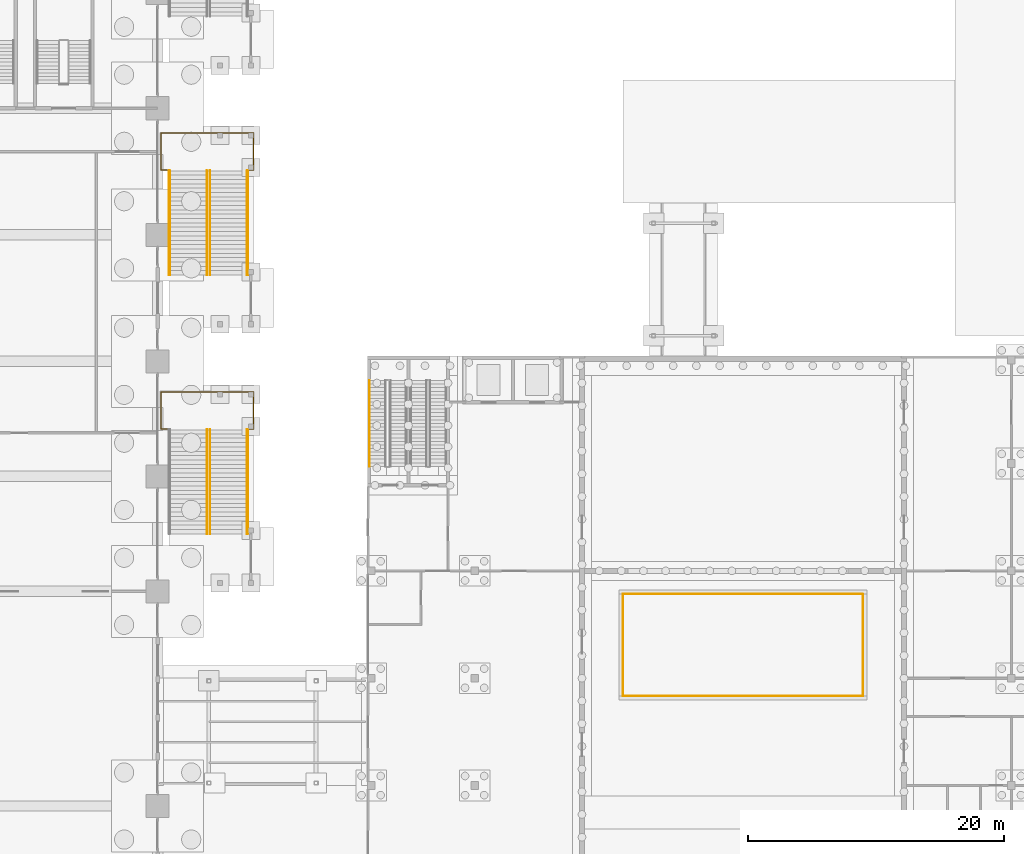
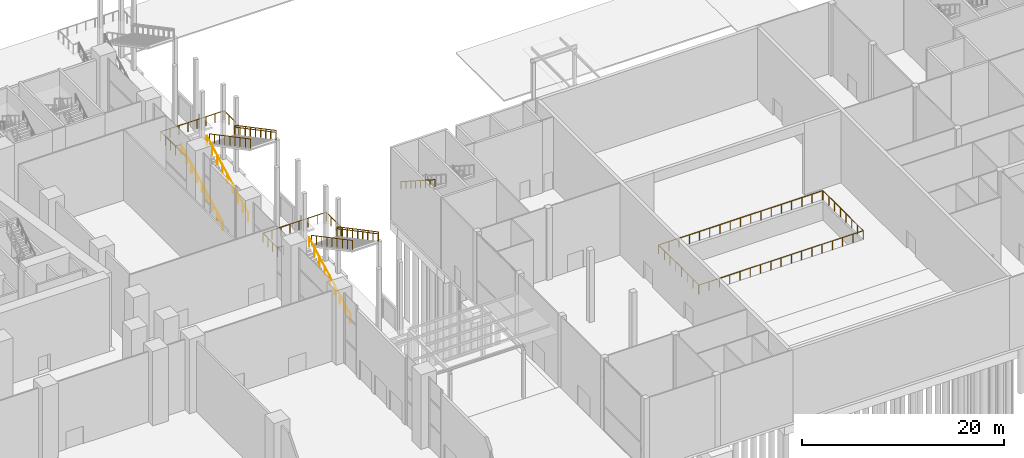
# One storey, part 64 of 72: 15 railings.
"""IFC4 building model written with IfcOpenShell, lengths in metres."""

from ifc_helpers import new_model, si_unit, direction, frame, origin, origin_2d, place, context, subcontext, project, spatial, circle, extrude, material, type_object, element, save


model = new_model("IFC4")

# Units and contexts
model_context = context("Model", 3, precision=1e-05, world=origin(), true_north=direction((0.0, 1.0)))
body_context = subcontext(model_context, "Body", "Model", "MODEL_VIEW")
ifc_project = project(units=[si_unit("LENGTHUNIT", "METRE"), si_unit("AREAUNIT", "SQUARE_METRE"), si_unit("VOLUMEUNIT", "CUBIC_METRE"), si_unit("PLANEANGLEUNIT", "RADIAN"), si_unit("MASSUNIT", "GRAM", prefix="KILO")], contexts=[model_context])

# Site, building, storey
site_placement = place(None, origin())
site = spatial("IfcSite", under=ifc_project, at=site_placement, CompositionType="ELEMENT")
building_placement = place(site_placement, origin())
building = spatial("IfcBuilding", under=site, at=building_placement, Name="Candeia Pilgrim Tower and Theatre", CompositionType="ELEMENT")
storey_placement = place(building_placement, origin())
storey = spatial("IfcBuildingStorey", under=building, at=storey_placement, Name="L00", CompositionType="ELEMENT", Elevation=0.0)

# Railings
ifc_material_1 = material(Name="Steel S355", Category="steel")
railing_type_1 = type_object("IfcRailingType", Name="Guard 1100 steel balustrade", PredefinedType="GUARDRAIL", material=ifc_material_1)
railing_1_placement = place(storey_placement, frame((196.0, 89.800048828125, 0.0)))
element("IfcRailing", 1, at=railing_1_placement, inside=storey, type_object=railing_type_1, Name="Orchestra pit guard", PredefinedType="GUARDRAIL", context=body_context, shape_type="SweptSolid", body=[
    extrude(circle(Radius=0.02392578125, at=origin_2d()), frame((0.0, 0.0, 1.076171875), z_axis=(1.0, 0.0, 0.0), x_axis=(0.0, 1.0, 0.0)), (0.0, 0.0, 1.0), 18.800048828125),
    extrude(circle(Radius=0.02392578125, at=origin_2d()), frame((18.800048828125, 0.0, 1.076171875), z_axis=(0.0, 1.0, 0.0), x_axis=(-1.0, 0.0, 0.0)), (0.0, 0.0, 1.0), 7.949951171875),
    extrude(circle(Radius=0.02099609375, at=origin_2d()), origin(), (0.0, 0.0, 1.0), 1.052001953125),
    extrude(circle(Radius=0.02099609375, at=origin_2d()), frame((1.175048828125, 0.0, 0.0)), (0.0, 0.0, 1.0), 1.052001953125),
    extrude(circle(Radius=0.02099609375, at=origin_2d()), frame((2.35009765625, 0.0, 0.0)), (0.0, 0.0, 1.0), 1.052001953125),
    extrude(circle(Radius=0.02099609375, at=origin_2d()), frame((3.52490234375, 0.0, 0.0)), (0.0, 0.0, 1.0), 1.052001953125),
    extrude(circle(Radius=0.02099609375, at=origin_2d()), frame((4.699951171875, 0.0, 0.0)), (0.0, 0.0, 1.0), 1.052001953125),
    extrude(circle(Radius=0.02099609375, at=origin_2d()), frame((5.875, 0.0, 0.0)), (0.0, 0.0, 1.0), 1.052001953125),
    extrude(circle(Radius=0.02099609375, at=origin_2d()), frame((7.050048828125, 0.0, 0.0)), (0.0, 0.0, 1.0), 1.052001953125),
    extrude(circle(Radius=0.02099609375, at=origin_2d()), frame((8.22509765625, 0.0, 0.0)), (0.0, 0.0, 1.0), 1.052001953125),
    extrude(circle(Radius=0.02099609375, at=origin_2d()), frame((9.39990234375, 0.0, 0.0)), (0.0, 0.0, 1.0), 1.052001953125),
    extrude(circle(Radius=0.02099609375, at=origin_2d()), frame((10.574951171875, 0.0, 0.0)), (0.0, 0.0, 1.0), 1.052001953125),
    extrude(circle(Radius=0.02099609375, at=origin_2d()), frame((11.75, 0.0, 0.0)), (0.0, 0.0, 1.0), 1.052001953125),
    extrude(circle(Radius=0.02099609375, at=origin_2d()), frame((12.925048828125, 0.0, 0.0)), (0.0, 0.0, 1.0), 1.052001953125),
    extrude(circle(Radius=0.02099609375, at=origin_2d()), frame((14.10009765625, 0.0, 0.0)), (0.0, 0.0, 1.0), 1.052001953125),
    extrude(circle(Radius=0.02099609375, at=origin_2d()), frame((15.275146484375, 0.0, 0.0)), (0.0, 0.0, 1.0), 1.052001953125),
    extrude(circle(Radius=0.02099609375, at=origin_2d()), frame((16.449951171875, 0.0, 0.0)), (0.0, 0.0, 1.0), 1.052001953125),
    extrude(circle(Radius=0.02099609375, at=origin_2d()), frame((17.625, 0.0, 0.0)), (0.0, 0.0, 1.0), 1.052001953125),
    extrude(circle(Radius=0.02099609375, at=origin_2d()), frame((18.800048828125, 0.0, 0.0)), (0.0, 0.0, 1.0), 1.052001953125),
    extrude(circle(Radius=0.02099609375, at=origin_2d()), frame((18.800048828125, 1.1357421875, 0.0)), (0.0, 0.0, 1.0), 1.052001953125),
    extrude(circle(Radius=0.02099609375, at=origin_2d()), frame((18.800048828125, 2.271484375, 0.0)), (0.0, 0.0, 1.0), 1.052001953125),
    extrude(circle(Radius=0.02099609375, at=origin_2d()), frame((18.800048828125, 3.4072265625, 0.0)), (0.0, 0.0, 1.0), 1.052001953125),
    extrude(circle(Radius=0.02099609375, at=origin_2d()), frame((18.800048828125, 4.542724609375, 0.0)), (0.0, 0.0, 1.0), 1.052001953125),
    extrude(circle(Radius=0.02099609375, at=origin_2d()), frame((18.800048828125, 5.678466796875, 0.0)), (0.0, 0.0, 1.0), 1.052001953125),
    extrude(circle(Radius=0.02099609375, at=origin_2d()), frame((18.800048828125, 6.814208984375, 0.0)), (0.0, 0.0, 1.0), 1.052001953125),
    extrude(circle(Radius=0.02099609375, at=origin_2d()), frame((18.800048828125, 7.949951171875, 0.0)), (0.0, 0.0, 1.0), 1.052001953125),
])
railing_2_placement = place(storey_placement, frame((214.75, 97.800048828125, 0.0)))
element("IfcRailing", 2, at=railing_2_placement, inside=storey, type_object=railing_type_1, Name="Orchestra pit guard", PredefinedType="GUARDRAIL", context=body_context, shape_type="SweptSolid", body=[
    extrude(circle(Radius=0.02392578125, at=origin_2d()), frame((0.0, 0.0, 1.076171875), z_axis=(-1.0, 0.0, 0.0), x_axis=(0.0, -1.0, 0.0)), (0.0, 0.0, 1.0), 18.75),
    extrude(circle(Radius=0.02392578125, at=origin_2d()), frame((-18.75, 0.0, 1.076171875), z_axis=(0.0, -1.0, 0.0), x_axis=(1.0, 0.0, 0.0)), (0.0, 0.0, 1.0), 7.949951171875),
    extrude(circle(Radius=0.02099609375, at=origin_2d()), origin(), (0.0, 0.0, 1.0), 1.052001953125),
    extrude(circle(Radius=0.02099609375, at=origin_2d()), frame((-1.171875, 0.0, 0.0)), (0.0, 0.0, 1.0), 1.052001953125),
    extrude(circle(Radius=0.02099609375, at=origin_2d()), frame((-2.34375, 0.0, 0.0)), (0.0, 0.0, 1.0), 1.052001953125),
    extrude(circle(Radius=0.02099609375, at=origin_2d()), frame((-3.515625, 0.0, 0.0)), (0.0, 0.0, 1.0), 1.052001953125),
    extrude(circle(Radius=0.02099609375, at=origin_2d()), frame((-4.6875, 0.0, 0.0)), (0.0, 0.0, 1.0), 1.052001953125),
    extrude(circle(Radius=0.02099609375, at=origin_2d()), frame((-5.859375, 0.0, 0.0)), (0.0, 0.0, 1.0), 1.052001953125),
    extrude(circle(Radius=0.02099609375, at=origin_2d()), frame((-7.03125, 0.0, 0.0)), (0.0, 0.0, 1.0), 1.052001953125),
    extrude(circle(Radius=0.02099609375, at=origin_2d()), frame((-8.203125, 0.0, 0.0)), (0.0, 0.0, 1.0), 1.052001953125),
    extrude(circle(Radius=0.02099609375, at=origin_2d()), frame((-9.375, 0.0, 0.0)), (0.0, 0.0, 1.0), 1.052001953125),
    extrude(circle(Radius=0.02099609375, at=origin_2d()), frame((-10.546875, 0.0, 0.0)), (0.0, 0.0, 1.0), 1.052001953125),
    extrude(circle(Radius=0.02099609375, at=origin_2d()), frame((-11.71875, 0.0, 0.0)), (0.0, 0.0, 1.0), 1.052001953125),
    extrude(circle(Radius=0.02099609375, at=origin_2d()), frame((-12.890625, 0.0, 0.0)), (0.0, 0.0, 1.0), 1.052001953125),
    extrude(circle(Radius=0.02099609375, at=origin_2d()), frame((-14.0625, 0.0, 0.0)), (0.0, 0.0, 1.0), 1.052001953125),
    extrude(circle(Radius=0.02099609375, at=origin_2d()), frame((-15.234375, 0.0, 0.0)), (0.0, 0.0, 1.0), 1.052001953125),
    extrude(circle(Radius=0.02099609375, at=origin_2d()), frame((-16.40625, 0.0, 0.0)), (0.0, 0.0, 1.0), 1.052001953125),
    extrude(circle(Radius=0.02099609375, at=origin_2d()), frame((-17.578125, 0.0, 0.0)), (0.0, 0.0, 1.0), 1.052001953125),
    extrude(circle(Radius=0.02099609375, at=origin_2d()), frame((-18.75, 0.0, 0.0)), (0.0, 0.0, 1.0), 1.052001953125),
    extrude(circle(Radius=0.02099609375, at=origin_2d()), frame((-18.75, -1.1357421875, 0.0)), (0.0, 0.0, 1.0), 1.052001953125),
    extrude(circle(Radius=0.02099609375, at=origin_2d()), frame((-18.75, -2.271484375, 0.0)), (0.0, 0.0, 1.0), 1.052001953125),
    extrude(circle(Radius=0.02099609375, at=origin_2d()), frame((-18.75, -3.4072265625, 0.0)), (0.0, 0.0, 1.0), 1.052001953125),
    extrude(circle(Radius=0.02099609375, at=origin_2d()), frame((-18.75, -4.542724609375, 0.0)), (0.0, 0.0, 1.0), 1.052001953125),
    extrude(circle(Radius=0.02099609375, at=origin_2d()), frame((-18.75, -5.678466796875, 0.0)), (0.0, 0.0, 1.0), 1.052001953125),
    extrude(circle(Radius=0.02099609375, at=origin_2d()), frame((-18.75, -6.814208984375, 0.0)), (0.0, 0.0, 1.0), 1.052001953125),
    extrude(circle(Radius=0.02099609375, at=origin_2d()), frame((-18.75, -7.949951171875, 0.0)), (0.0, 0.0, 1.0), 1.052001953125),
])
railing_type_2 = type_object("IfcRailingType", Name="Handrail 900 steel", PredefinedType="HANDRAIL", material=ifc_material_1)
railing_3_placement = place(storey_placement, frame((176.175048828125, 114.4951171875, 4.679931640625)))
element("IfcRailing", 3, at=railing_3_placement, inside=storey, type_object=railing_type_2, Name="L00 TS1 stair handrail 2", PredefinedType="HANDRAIL", context=body_context, shape_type="SweptSolid", body=[
    extrude(circle(Radius=0.02392578125, at=origin_2d()), frame((0.0, 0.0, 0.8759765625), z_axis=(0.0, -0.841182446993, 0.540751413193), x_axis=(1.0, 0.0, 0.0)), (0.0, 0.0, 1.0), 7.989013671875),
    extrude(circle(Radius=0.02099609375, at=origin_2d()), origin(), (0.0, 0.0, 1.0), 0.851806640625),
    extrude(circle(Radius=0.02099609375, at=origin_2d()), frame((0.0, -0.9599609375, 0.6171875)), (0.0, 0.0, 1.0), 0.851806640625),
    extrude(circle(Radius=0.02099609375, at=origin_2d()), frame((0.0, -1.920166015625, 1.234375)), (0.0, 0.0, 1.0), 0.851806640625),
    extrude(circle(Radius=0.02099609375, at=origin_2d()), frame((0.0, -2.880126953125, 1.8515625)), (0.0, 0.0, 1.0), 0.851806640625),
    extrude(circle(Radius=0.02099609375, at=origin_2d()), frame((0.0, -3.840087890625, 2.468505859375)), (0.0, 0.0, 1.0), 0.851806640625),
    extrude(circle(Radius=0.02099609375, at=origin_2d()), frame((0.0, -4.800048828125, 3.085693359375)), (0.0, 0.0, 1.0), 0.851806640625),
    extrude(circle(Radius=0.02099609375, at=origin_2d()), frame((0.0, -5.76025390625, 3.702880859375)), (0.0, 0.0, 1.0), 0.851806640625),
    extrude(circle(Radius=0.02099609375, at=origin_2d()), frame((0.0, -6.72021484375, 4.320068359375)), (0.0, 0.0, 1.0), 0.851806640625),
])
ifc_material_2 = material(Name="Stainless steel balustrade", Category="steel")
railing_type_3 = type_object("IfcRailingType", Name="RL-GUARD-1100", PredefinedType="GUARDRAIL", material=ifc_material_2)
railing_4_placement = place(storey_placement, frame((163.449951171875, 102.5, 0.179931640625)))
element("IfcRailing", 4, at=railing_4_placement, inside=storey, type_object=railing_type_3, Name="L00 ES1 stair guard 1", PredefinedType="GUARDRAIL", context=body_context, shape_type="SweptSolid", body=[
    extrude(circle(Radius=0.02392578125, at=origin_2d()), frame((0.0, 0.0, 1.076171875), z_axis=(0.0, 0.883782770755, 0.467897439742), x_axis=(-1.0, 0.0, 0.0)), (0.0, 0.0, 1.0), 9.23291015625),
    extrude(circle(Radius=0.02099609375, at=origin_2d()), origin(), (0.0, 0.0, 1.0), 1.052001953125),
    extrude(circle(Radius=0.02099609375, at=origin_2d()), frame((0.0, 1.02001953125, 0.5400390625)), (0.0, 0.0, 1.0), 1.052001953125),
    extrude(circle(Radius=0.02099609375, at=origin_2d()), frame((0.0, 2.0400390625, 1.080078125)), (0.0, 0.0, 1.0), 1.052001953125),
    extrude(circle(Radius=0.02099609375, at=origin_2d()), frame((0.0, 3.06005859375, 1.6201171875)), (0.0, 0.0, 1.0), 1.052001953125),
    extrude(circle(Radius=0.02099609375, at=origin_2d()), frame((0.0, 4.080078125, 2.16015625)), (0.0, 0.0, 1.0), 1.052001953125),
    extrude(circle(Radius=0.02099609375, at=origin_2d()), frame((0.0, 5.099853515625, 2.699951171875)), (0.0, 0.0, 1.0), 1.052001953125),
    extrude(circle(Radius=0.02099609375, at=origin_2d()), frame((0.0, 6.119873046875, 3.239990234375)), (0.0, 0.0, 1.0), 1.052001953125),
    extrude(circle(Radius=0.02099609375, at=origin_2d()), frame((0.0, 7.139892578125, 3.780029296875)), (0.0, 0.0, 1.0), 1.052001953125),
    extrude(circle(Radius=0.02099609375, at=origin_2d()), frame((0.0, 8.159912109375, 4.320068359375)), (0.0, 0.0, 1.0), 1.052001953125),
])
for number, where, name in (
    (5, (163.699951171875, 110.659912109375, 4.679931640625), "L00 ES1 stair guard 2"),
    (6, (166.64990234375, 110.659912109375, 4.679931640625), "L00 ES1 stair guard 4"),
):
    element("IfcRailing", number, at=place(storey_placement, frame(where)), inside=storey, type_object=railing_type_3, Name=name, PredefinedType="GUARDRAIL", context=body_context, shape_type="SweptSolid", body=[
        extrude(circle(Radius=0.02392578125, at=origin_2d()), frame((0.0, 0.0, 1.076171875), z_axis=(0.0, -0.883782770755, 0.467897439742), x_axis=(1.0, 0.0, 0.0)), (0.0, 0.0, 1.0), 9.23291015625),
        extrude(circle(Radius=0.02099609375, at=origin_2d()), origin(), (0.0, 0.0, 1.0), 1.052001953125),
        extrude(circle(Radius=0.02099609375, at=origin_2d()), frame((0.0, -1.02001953125, 0.5400390625)), (0.0, 0.0, 1.0), 1.052001953125),
        extrude(circle(Radius=0.02099609375, at=origin_2d()), frame((0.0, -2.0400390625, 1.080078125)), (0.0, 0.0, 1.0), 1.052001953125),
        extrude(circle(Radius=0.02099609375, at=origin_2d()), frame((0.0, -3.06005859375, 1.6201171875)), (0.0, 0.0, 1.0), 1.052001953125),
        extrude(circle(Radius=0.02099609375, at=origin_2d()), frame((0.0, -4.080078125, 2.16015625)), (0.0, 0.0, 1.0), 1.052001953125),
        extrude(circle(Radius=0.02099609375, at=origin_2d()), frame((0.0, -5.099853515625, 2.699951171875)), (0.0, 0.0, 1.0), 1.052001953125),
        extrude(circle(Radius=0.02099609375, at=origin_2d()), frame((0.0, -6.119873046875, 3.239990234375)), (0.0, 0.0, 1.0), 1.052001953125),
        extrude(circle(Radius=0.02099609375, at=origin_2d()), frame((0.0, -7.139892578125, 3.780029296875)), (0.0, 0.0, 1.0), 1.052001953125),
        extrude(circle(Radius=0.02099609375, at=origin_2d()), frame((0.0, -8.159912109375, 4.320068359375)), (0.0, 0.0, 1.0), 1.052001953125),
    ])
railing_5_placement = place(storey_placement, frame((160.5, 110.7099609375, 4.5)))
element("IfcRailing", 7, at=railing_5_placement, inside=storey, type_object=railing_type_3, Name="L00 ES1 stair guard 5", PredefinedType="GUARDRAIL", context=body_context, shape_type="SweptSolid", body=[
    extrude(circle(Radius=0.02392578125, at=origin_2d()), frame((0.0, 0.0, 1.076171875), z_axis=(-1.0, 0.0, 0.0), x_axis=(0.0, -1.0, 0.0)), (0.0, 0.0, 1.0), 0.64990234375),
    extrude(circle(Radius=0.02392578125, at=origin_2d()), frame((-0.64990234375, 0.0, 1.076171875), z_axis=(0.0, 1.0, 0.0), x_axis=(-1.0, 0.0, 0.0)), (0.0, 0.0, 1.0), 2.900146484375),
    extrude(circle(Radius=0.02392578125, at=origin_2d()), frame((-0.64990234375, 2.900146484375, 1.076171875), z_axis=(1.0, 0.0, 0.0), x_axis=(0.0, 1.0, 0.0)), (0.0, 0.0, 1.0), 7.25),
    extrude(circle(Radius=0.02392578125, at=origin_2d()), frame((6.60009765625, 2.900146484375, 1.076171875), z_axis=(0.0, -1.0, 0.0), x_axis=(1.0, 0.0, 0.0)), (0.0, 0.0, 1.0), 2.900146484375),
    extrude(circle(Radius=0.02392578125, at=origin_2d()), frame((6.60009765625, 0.0, 1.076171875), z_axis=(-1.0, 0.0, 0.0), x_axis=(0.0, -1.0, 0.0)), (0.0, 0.0, 1.0), 0.4501953125),
    extrude(circle(Radius=0.02099609375, at=origin_2d()), origin(), (0.0, 0.0, 1.0), 1.052001953125),
    extrude(circle(Radius=0.02099609375, at=origin_2d()), frame((-0.64990234375, 0.0, 0.0)), (0.0, 0.0, 1.0), 1.052001953125),
    extrude(circle(Radius=0.02099609375, at=origin_2d()), frame((-0.64990234375, 0.966796875, 0.0)), (0.0, 0.0, 1.0), 1.052001953125),
    extrude(circle(Radius=0.02099609375, at=origin_2d()), frame((-0.64990234375, 1.933349609375, 0.0)), (0.0, 0.0, 1.0), 1.052001953125),
    extrude(circle(Radius=0.02099609375, at=origin_2d()), frame((-0.64990234375, 2.900146484375, 0.0)), (0.0, 0.0, 1.0), 1.052001953125),
    extrude(circle(Radius=0.02099609375, at=origin_2d()), frame((0.3857421875, 2.900146484375, 0.0)), (0.0, 0.0, 1.0), 1.052001953125),
    extrude(circle(Radius=0.02099609375, at=origin_2d()), frame((1.421630859375, 2.900146484375, 0.0)), (0.0, 0.0, 1.0), 1.052001953125),
    extrude(circle(Radius=0.02099609375, at=origin_2d()), frame((2.457275390625, 2.900146484375, 0.0)), (0.0, 0.0, 1.0), 1.052001953125),
    extrude(circle(Radius=0.02099609375, at=origin_2d()), frame((3.492919921875, 2.900146484375, 0.0)), (0.0, 0.0, 1.0), 1.052001953125),
    extrude(circle(Radius=0.02099609375, at=origin_2d()), frame((4.528564453125, 2.900146484375, 0.0)), (0.0, 0.0, 1.0), 1.052001953125),
    extrude(circle(Radius=0.02099609375, at=origin_2d()), frame((5.564453125, 2.900146484375, 0.0)), (0.0, 0.0, 1.0), 1.052001953125),
    extrude(circle(Radius=0.02099609375, at=origin_2d()), frame((6.60009765625, 2.900146484375, 0.0)), (0.0, 0.0, 1.0), 1.052001953125),
    extrude(circle(Radius=0.02099609375, at=origin_2d()), frame((6.60009765625, 1.933349609375, 0.0)), (0.0, 0.0, 1.0), 1.052001953125),
    extrude(circle(Radius=0.02099609375, at=origin_2d()), frame((6.60009765625, 0.966796875, 0.0)), (0.0, 0.0, 1.0), 1.052001953125),
    extrude(circle(Radius=0.02099609375, at=origin_2d()), frame((6.60009765625, 0.0, 0.0)), (0.0, 0.0, 1.0), 1.052001953125),
    extrude(circle(Radius=0.02099609375, at=origin_2d()), frame((6.14990234375, 0.0, 0.0)), (0.0, 0.0, 1.0), 1.052001953125),
])
railing_6_placement = place(storey_placement, frame((163.449951171875, 122.75, 0.179931640625)))
element("IfcRailing", 8, at=railing_6_placement, inside=storey, type_object=railing_type_3, Name="L00 ES14 stair guard 1", PredefinedType="GUARDRAIL", context=body_context, shape_type="SweptSolid", body=[
    extrude(circle(Radius=0.02392578125, at=origin_2d()), frame((0.0, 0.0, 1.076171875), z_axis=(0.0, 0.883782770755, 0.467897439742), x_axis=(-1.0, 0.0, 0.0)), (0.0, 0.0, 1.0), 9.23291015625),
    extrude(circle(Radius=0.02099609375, at=origin_2d()), origin(), (0.0, 0.0, 1.0), 1.052001953125),
    extrude(circle(Radius=0.02099609375, at=origin_2d()), frame((0.0, 1.02001953125, 0.5400390625)), (0.0, 0.0, 1.0), 1.052001953125),
    extrude(circle(Radius=0.02099609375, at=origin_2d()), frame((0.0, 2.0400390625, 1.080078125)), (0.0, 0.0, 1.0), 1.052001953125),
    extrude(circle(Radius=0.02099609375, at=origin_2d()), frame((0.0, 3.06005859375, 1.6201171875)), (0.0, 0.0, 1.0), 1.052001953125),
    extrude(circle(Radius=0.02099609375, at=origin_2d()), frame((0.0, 4.080078125, 2.16015625)), (0.0, 0.0, 1.0), 1.052001953125),
    extrude(circle(Radius=0.02099609375, at=origin_2d()), frame((0.0, 5.099853515625, 2.699951171875)), (0.0, 0.0, 1.0), 1.052001953125),
    extrude(circle(Radius=0.02099609375, at=origin_2d()), frame((0.0, 6.119873046875, 3.239990234375)), (0.0, 0.0, 1.0), 1.052001953125),
    extrude(circle(Radius=0.02099609375, at=origin_2d()), frame((0.0, 7.139892578125, 3.780029296875)), (0.0, 0.0, 1.0), 1.052001953125),
    extrude(circle(Radius=0.02099609375, at=origin_2d()), frame((0.0, 8.159912109375, 4.320068359375)), (0.0, 0.0, 1.0), 1.052001953125),
])
railing_7_placement = place(storey_placement, frame((163.699951171875, 130.909912109375, 4.679931640625)))
element("IfcRailing", 9, at=railing_7_placement, inside=storey, type_object=railing_type_3, Name="L00 ES14 stair guard 2", PredefinedType="GUARDRAIL", context=body_context, shape_type="SweptSolid", body=[
    extrude(circle(Radius=0.02392578125, at=origin_2d()), frame((0.0, 0.0, 1.076171875), z_axis=(0.0, -0.883782770755, 0.467897439742), x_axis=(1.0, 0.0, 0.0)), (0.0, 0.0, 1.0), 9.23291015625),
    extrude(circle(Radius=0.02099609375, at=origin_2d()), origin(), (0.0, 0.0, 1.0), 1.052001953125),
    extrude(circle(Radius=0.02099609375, at=origin_2d()), frame((0.0, -1.02001953125, 0.5400390625)), (0.0, 0.0, 1.0), 1.052001953125),
    extrude(circle(Radius=0.02099609375, at=origin_2d()), frame((0.0, -2.0400390625, 1.080078125)), (0.0, 0.0, 1.0), 1.052001953125),
    extrude(circle(Radius=0.02099609375, at=origin_2d()), frame((0.0, -3.06005859375, 1.6201171875)), (0.0, 0.0, 1.0), 1.052001953125),
    extrude(circle(Radius=0.02099609375, at=origin_2d()), frame((0.0, -4.080078125, 2.16015625)), (0.0, 0.0, 1.0), 1.052001953125),
    extrude(circle(Radius=0.02099609375, at=origin_2d()), frame((0.0, -5.099853515625, 2.699951171875)), (0.0, 0.0, 1.0), 1.052001953125),
    extrude(circle(Radius=0.02099609375, at=origin_2d()), frame((0.0, -6.119873046875, 3.239990234375)), (0.0, 0.0, 1.0), 1.052001953125),
    extrude(circle(Radius=0.02099609375, at=origin_2d()), frame((0.0, -7.139892578125, 3.780029296875)), (0.0, 0.0, 1.0), 1.052001953125),
    extrude(circle(Radius=0.02099609375, at=origin_2d()), frame((0.0, -8.159912109375, 4.320068359375)), (0.0, 0.0, 1.0), 1.052001953125),
])
railing_8_placement = place(storey_placement, frame((160.5, 122.75, 0.179931640625)))
element("IfcRailing", 10, at=railing_8_placement, inside=storey, type_object=railing_type_3, Name="L00 ES14 stair guard 3", PredefinedType="GUARDRAIL", context=body_context, shape_type="SweptSolid", body=[
    extrude(circle(Radius=0.02392578125, at=origin_2d()), frame((0.0, 0.0, 1.076171875), z_axis=(0.0, 0.883782770755, 0.467897439742), x_axis=(-1.0, 0.0, 0.0)), (0.0, 0.0, 1.0), 9.23291015625),
    extrude(circle(Radius=0.02099609375, at=origin_2d()), origin(), (0.0, 0.0, 1.0), 1.052001953125),
    extrude(circle(Radius=0.02099609375, at=origin_2d()), frame((0.0, 1.02001953125, 0.5400390625)), (0.0, 0.0, 1.0), 1.052001953125),
    extrude(circle(Radius=0.02099609375, at=origin_2d()), frame((0.0, 2.0400390625, 1.080078125)), (0.0, 0.0, 1.0), 1.052001953125),
    extrude(circle(Radius=0.02099609375, at=origin_2d()), frame((0.0, 3.06005859375, 1.6201171875)), (0.0, 0.0, 1.0), 1.052001953125),
    extrude(circle(Radius=0.02099609375, at=origin_2d()), frame((0.0, 4.080078125, 2.16015625)), (0.0, 0.0, 1.0), 1.052001953125),
    extrude(circle(Radius=0.02099609375, at=origin_2d()), frame((0.0, 5.099853515625, 2.699951171875)), (0.0, 0.0, 1.0), 1.052001953125),
    extrude(circle(Radius=0.02099609375, at=origin_2d()), frame((0.0, 6.119873046875, 3.239990234375)), (0.0, 0.0, 1.0), 1.052001953125),
    extrude(circle(Radius=0.02099609375, at=origin_2d()), frame((0.0, 7.139892578125, 3.780029296875)), (0.0, 0.0, 1.0), 1.052001953125),
    extrude(circle(Radius=0.02099609375, at=origin_2d()), frame((0.0, 8.159912109375, 4.320068359375)), (0.0, 0.0, 1.0), 1.052001953125),
])
railing_9_placement = place(storey_placement, frame((166.64990234375, 130.909912109375, 4.679931640625)))
element("IfcRailing", 11, at=railing_9_placement, inside=storey, type_object=railing_type_3, Name="L00 ES14 stair guard 4", PredefinedType="GUARDRAIL", context=body_context, shape_type="SweptSolid", body=[
    extrude(circle(Radius=0.02392578125, at=origin_2d()), frame((0.0, 0.0, 1.076171875), z_axis=(0.0, -0.883782770755, 0.467897439742), x_axis=(1.0, 0.0, 0.0)), (0.0, 0.0, 1.0), 9.23291015625),
    extrude(circle(Radius=0.02099609375, at=origin_2d()), origin(), (0.0, 0.0, 1.0), 1.052001953125),
    extrude(circle(Radius=0.02099609375, at=origin_2d()), frame((0.0, -1.02001953125, 0.5400390625)), (0.0, 0.0, 1.0), 1.052001953125),
    extrude(circle(Radius=0.02099609375, at=origin_2d()), frame((0.0, -2.0400390625, 1.080078125)), (0.0, 0.0, 1.0), 1.052001953125),
    extrude(circle(Radius=0.02099609375, at=origin_2d()), frame((0.0, -3.06005859375, 1.6201171875)), (0.0, 0.0, 1.0), 1.052001953125),
    extrude(circle(Radius=0.02099609375, at=origin_2d()), frame((0.0, -4.080078125, 2.16015625)), (0.0, 0.0, 1.0), 1.052001953125),
    extrude(circle(Radius=0.02099609375, at=origin_2d()), frame((0.0, -5.099853515625, 2.699951171875)), (0.0, 0.0, 1.0), 1.052001953125),
    extrude(circle(Radius=0.02099609375, at=origin_2d()), frame((0.0, -6.119873046875, 3.239990234375)), (0.0, 0.0, 1.0), 1.052001953125),
    extrude(circle(Radius=0.02099609375, at=origin_2d()), frame((0.0, -7.139892578125, 3.780029296875)), (0.0, 0.0, 1.0), 1.052001953125),
    extrude(circle(Radius=0.02099609375, at=origin_2d()), frame((0.0, -8.159912109375, 4.320068359375)), (0.0, 0.0, 1.0), 1.052001953125),
])
railing_10_placement = place(storey_placement, frame((160.5, 130.9599609375, 4.5)))
element("IfcRailing", 12, at=railing_10_placement, inside=storey, type_object=railing_type_3, Name="L00 ES14 stair guard 5", PredefinedType="GUARDRAIL", context=body_context, shape_type="SweptSolid", body=[
    extrude(circle(Radius=0.02392578125, at=origin_2d()), frame((0.0, 0.0, 1.076171875), z_axis=(-1.0, 0.0, 0.0), x_axis=(0.0, -1.0, 0.0)), (0.0, 0.0, 1.0), 0.64990234375),
    extrude(circle(Radius=0.02392578125, at=origin_2d()), frame((-0.64990234375, 0.0, 1.076171875), z_axis=(0.0, 1.0, 0.0), x_axis=(-1.0, 0.0, 0.0)), (0.0, 0.0, 1.0), 2.900146484375),
    extrude(circle(Radius=0.02392578125, at=origin_2d()), frame((-0.64990234375, 2.900146484375, 1.076171875), z_axis=(1.0, 0.0, 0.0), x_axis=(0.0, 1.0, 0.0)), (0.0, 0.0, 1.0), 7.25),
    extrude(circle(Radius=0.02392578125, at=origin_2d()), frame((6.60009765625, 2.900146484375, 1.076171875), z_axis=(0.0, -1.0, 0.0), x_axis=(1.0, 0.0, 0.0)), (0.0, 0.0, 1.0), 2.900146484375),
    extrude(circle(Radius=0.02392578125, at=origin_2d()), frame((6.60009765625, 0.0, 1.076171875), z_axis=(-1.0, 0.0, 0.0), x_axis=(0.0, -1.0, 0.0)), (0.0, 0.0, 1.0), 0.4501953125),
    extrude(circle(Radius=0.02099609375, at=origin_2d()), origin(), (0.0, 0.0, 1.0), 1.052001953125),
    extrude(circle(Radius=0.02099609375, at=origin_2d()), frame((-0.64990234375, 0.0, 0.0)), (0.0, 0.0, 1.0), 1.052001953125),
    extrude(circle(Radius=0.02099609375, at=origin_2d()), frame((-0.64990234375, 0.966796875, 0.0)), (0.0, 0.0, 1.0), 1.052001953125),
    extrude(circle(Radius=0.02099609375, at=origin_2d()), frame((-0.64990234375, 1.933349609375, 0.0)), (0.0, 0.0, 1.0), 1.052001953125),
    extrude(circle(Radius=0.02099609375, at=origin_2d()), frame((-0.64990234375, 2.900146484375, 0.0)), (0.0, 0.0, 1.0), 1.052001953125),
    extrude(circle(Radius=0.02099609375, at=origin_2d()), frame((0.3857421875, 2.900146484375, 0.0)), (0.0, 0.0, 1.0), 1.052001953125),
    extrude(circle(Radius=0.02099609375, at=origin_2d()), frame((1.421630859375, 2.900146484375, 0.0)), (0.0, 0.0, 1.0), 1.052001953125),
    extrude(circle(Radius=0.02099609375, at=origin_2d()), frame((2.457275390625, 2.900146484375, 0.0)), (0.0, 0.0, 1.0), 1.052001953125),
    extrude(circle(Radius=0.02099609375, at=origin_2d()), frame((3.492919921875, 2.900146484375, 0.0)), (0.0, 0.0, 1.0), 1.052001953125),
    extrude(circle(Radius=0.02099609375, at=origin_2d()), frame((4.528564453125, 2.900146484375, 0.0)), (0.0, 0.0, 1.0), 1.052001953125),
    extrude(circle(Radius=0.02099609375, at=origin_2d()), frame((5.564453125, 2.900146484375, 0.0)), (0.0, 0.0, 1.0), 1.052001953125),
    extrude(circle(Radius=0.02099609375, at=origin_2d()), frame((6.60009765625, 2.900146484375, 0.0)), (0.0, 0.0, 1.0), 1.052001953125),
    extrude(circle(Radius=0.02099609375, at=origin_2d()), frame((6.60009765625, 1.933349609375, 0.0)), (0.0, 0.0, 1.0), 1.052001953125),
    extrude(circle(Radius=0.02099609375, at=origin_2d()), frame((6.60009765625, 0.966796875, 0.0)), (0.0, 0.0, 1.0), 1.052001953125),
    extrude(circle(Radius=0.02099609375, at=origin_2d()), frame((6.60009765625, 0.0, 0.0)), (0.0, 0.0, 1.0), 1.052001953125),
    extrude(circle(Radius=0.02099609375, at=origin_2d()), frame((6.14990234375, 0.0, 0.0)), (0.0, 0.0, 1.0), 1.052001953125),
])
ifc_material_3 = material(Name="Stainless steel handrail", Category="steel")
railing_type_4 = type_object("IfcRailingType", Name="RL-HANDRAIL-900", PredefinedType="HANDRAIL", material=ifc_material_3)
railing_11_placement = place(storey_placement, frame((166.60009765625, 110.659912109375, 4.679931640625)))
element("IfcRailing", 13, at=railing_11_placement, inside=storey, type_object=railing_type_4, Name="L00 ES1 stair handrail 2", PredefinedType="HANDRAIL", context=body_context, shape_type="SweptSolid", body=[
    extrude(circle(Radius=0.02392578125, at=origin_2d()), frame((0.0, 0.0, 0.8759765625), z_axis=(0.0, -0.883782770755, 0.467897439742), x_axis=(1.0, 0.0, 0.0)), (0.0, 0.0, 1.0), 9.23291015625),
    extrude(circle(Radius=0.02099609375, at=origin_2d()), origin(), (0.0, 0.0, 1.0), 0.851806640625),
    extrude(circle(Radius=0.02099609375, at=origin_2d()), frame((0.0, -1.02001953125, 0.5400390625)), (0.0, 0.0, 1.0), 0.851806640625),
    extrude(circle(Radius=0.02099609375, at=origin_2d()), frame((0.0, -2.0400390625, 1.080078125)), (0.0, 0.0, 1.0), 0.851806640625),
    extrude(circle(Radius=0.02099609375, at=origin_2d()), frame((0.0, -3.06005859375, 1.6201171875)), (0.0, 0.0, 1.0), 0.851806640625),
    extrude(circle(Radius=0.02099609375, at=origin_2d()), frame((0.0, -4.080078125, 2.16015625)), (0.0, 0.0, 1.0), 0.851806640625),
    extrude(circle(Radius=0.02099609375, at=origin_2d()), frame((0.0, -5.099853515625, 2.699951171875)), (0.0, 0.0, 1.0), 0.851806640625),
    extrude(circle(Radius=0.02099609375, at=origin_2d()), frame((0.0, -6.119873046875, 3.239990234375)), (0.0, 0.0, 1.0), 0.851806640625),
    extrude(circle(Radius=0.02099609375, at=origin_2d()), frame((0.0, -7.139892578125, 3.780029296875)), (0.0, 0.0, 1.0), 0.851806640625),
    extrude(circle(Radius=0.02099609375, at=origin_2d()), frame((0.0, -8.159912109375, 4.320068359375)), (0.0, 0.0, 1.0), 0.851806640625),
])
railing_12_placement = place(storey_placement, frame((160.550048828125, 122.75, 0.179931640625)))
element("IfcRailing", 14, at=railing_12_placement, inside=storey, type_object=railing_type_4, Name="L00 ES14 stair handrail 1", PredefinedType="HANDRAIL", context=body_context, shape_type="SweptSolid", body=[
    extrude(circle(Radius=0.02392578125, at=origin_2d()), frame((0.0, 0.0, 0.8759765625), z_axis=(0.0, 0.883782770755, 0.467897439742), x_axis=(-1.0, 0.0, 0.0)), (0.0, 0.0, 1.0), 9.23291015625),
    extrude(circle(Radius=0.02099609375, at=origin_2d()), origin(), (0.0, 0.0, 1.0), 0.851806640625),
    extrude(circle(Radius=0.02099609375, at=origin_2d()), frame((0.0, 1.02001953125, 0.5400390625)), (0.0, 0.0, 1.0), 0.851806640625),
    extrude(circle(Radius=0.02099609375, at=origin_2d()), frame((0.0, 2.0400390625, 1.080078125)), (0.0, 0.0, 1.0), 0.851806640625),
    extrude(circle(Radius=0.02099609375, at=origin_2d()), frame((0.0, 3.06005859375, 1.6201171875)), (0.0, 0.0, 1.0), 0.851806640625),
    extrude(circle(Radius=0.02099609375, at=origin_2d()), frame((0.0, 4.080078125, 2.16015625)), (0.0, 0.0, 1.0), 0.851806640625),
    extrude(circle(Radius=0.02099609375, at=origin_2d()), frame((0.0, 5.099853515625, 2.699951171875)), (0.0, 0.0, 1.0), 0.851806640625),
    extrude(circle(Radius=0.02099609375, at=origin_2d()), frame((0.0, 6.119873046875, 3.239990234375)), (0.0, 0.0, 1.0), 0.851806640625),
    extrude(circle(Radius=0.02099609375, at=origin_2d()), frame((0.0, 7.139892578125, 3.780029296875)), (0.0, 0.0, 1.0), 0.851806640625),
    extrude(circle(Radius=0.02099609375, at=origin_2d()), frame((0.0, 8.159912109375, 4.320068359375)), (0.0, 0.0, 1.0), 0.851806640625),
])
railing_13_placement = place(storey_placement, frame((166.60009765625, 130.909912109375, 4.679931640625)))
element("IfcRailing", 15, at=railing_13_placement, inside=storey, type_object=railing_type_4, Name="L00 ES14 stair handrail 2", PredefinedType="HANDRAIL", context=body_context, shape_type="SweptSolid", body=[
    extrude(circle(Radius=0.02392578125, at=origin_2d()), frame((0.0, 0.0, 0.8759765625), z_axis=(0.0, -0.883782770755, 0.467897439742), x_axis=(1.0, 0.0, 0.0)), (0.0, 0.0, 1.0), 9.23291015625),
    extrude(circle(Radius=0.02099609375, at=origin_2d()), origin(), (0.0, 0.0, 1.0), 0.851806640625),
    extrude(circle(Radius=0.02099609375, at=origin_2d()), frame((0.0, -1.02001953125, 0.5400390625)), (0.0, 0.0, 1.0), 0.851806640625),
    extrude(circle(Radius=0.02099609375, at=origin_2d()), frame((0.0, -2.0400390625, 1.080078125)), (0.0, 0.0, 1.0), 0.851806640625),
    extrude(circle(Radius=0.02099609375, at=origin_2d()), frame((0.0, -3.06005859375, 1.6201171875)), (0.0, 0.0, 1.0), 0.851806640625),
    extrude(circle(Radius=0.02099609375, at=origin_2d()), frame((0.0, -4.080078125, 2.16015625)), (0.0, 0.0, 1.0), 0.851806640625),
    extrude(circle(Radius=0.02099609375, at=origin_2d()), frame((0.0, -5.099853515625, 2.699951171875)), (0.0, 0.0, 1.0), 0.851806640625),
    extrude(circle(Radius=0.02099609375, at=origin_2d()), frame((0.0, -6.119873046875, 3.239990234375)), (0.0, 0.0, 1.0), 0.851806640625),
    extrude(circle(Radius=0.02099609375, at=origin_2d()), frame((0.0, -7.139892578125, 3.780029296875)), (0.0, 0.0, 1.0), 0.851806640625),
    extrude(circle(Radius=0.02099609375, at=origin_2d()), frame((0.0, -8.159912109375, 4.320068359375)), (0.0, 0.0, 1.0), 0.851806640625),
])

save(model, "model.ifc")
